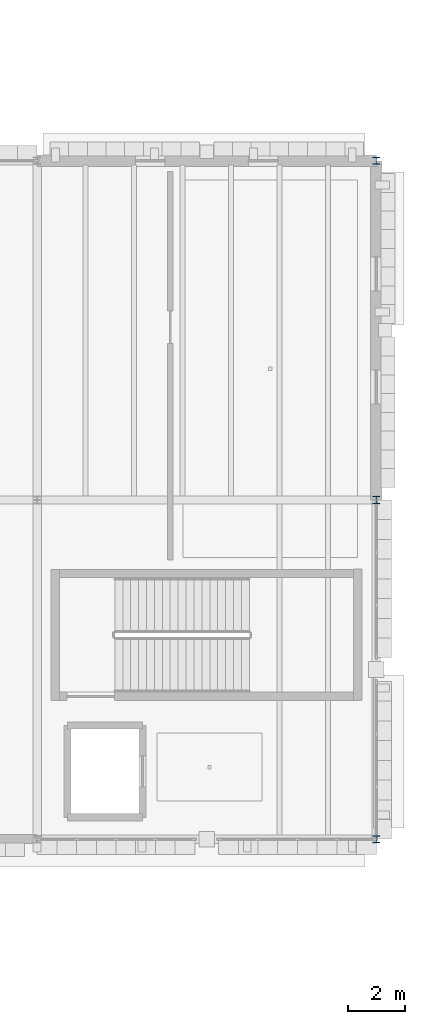
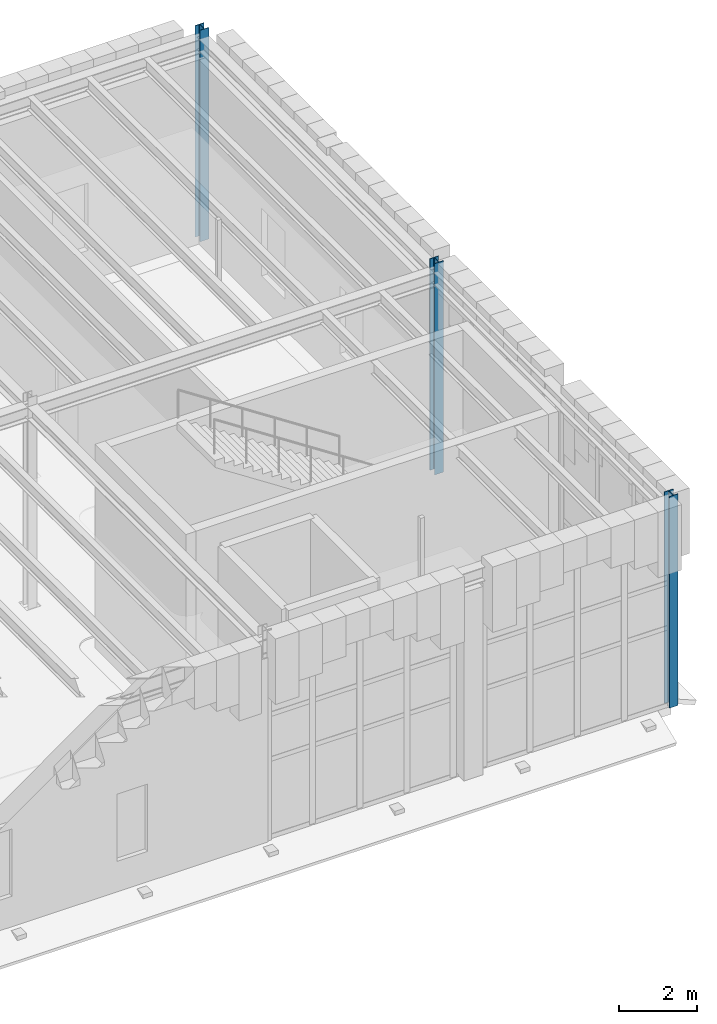
# One storey, part 10 of 62: 3 columns.
"""IFC4 building model written with IfcOpenShell, lengths in metres."""

from ifc_helpers import new_model, si_unit, direction, frame, origin, origin_2d, place, context, subcontext, project, spatial, i_section, extrude, material, material_profile, profile_set, type_object, element, save


model = new_model("IFC4")

# Units and contexts
model_context = context("Model", 3, precision=1e-05, world=origin(), true_north=direction((0.0, 1.0)))
body_context = subcontext(model_context, "Body", "Model", "MODEL_VIEW")
ifc_project = project(units=[si_unit("LENGTHUNIT", "METRE"), si_unit("AREAUNIT", "SQUARE_METRE"), si_unit("VOLUMEUNIT", "CUBIC_METRE"), si_unit("PLANEANGLEUNIT", "RADIAN"), si_unit("MASSUNIT", "GRAM", prefix="KILO")], contexts=[model_context])

# Site, building, storey
site_placement = place(None, origin())
site = spatial("IfcSite", under=ifc_project, at=site_placement, CompositionType="ELEMENT")
building_placement = place(site_placement, origin())
building = spatial("IfcBuilding", under=site, at=building_placement, Name="Zlatogorsky Bluff Art Gallery", CompositionType="ELEMENT")
storey_placement = place(building_placement, frame((0.0, 0.0, 16.800048828125)))
storey = spatial("IfcBuildingStorey", under=building, at=storey_placement, Name="L03", CompositionType="ELEMENT", Elevation=16.800048828125)

# Columns
ifc_material = material(Name="Steel S355", Category="steel")
ifc_material_profile = material_profile(ifc_material, i_section(OverallWidth=0.260009765625, OverallDepth=0.260009765625, WebThickness=0.010009765625, FlangeThickness=0.017578125, FilletRadius=0.02392578125, at=origin_2d()), Name="HEB 260")
ifc_profile_set = profile_set([ifc_material_profile], Name="Steel S355")
column_type = type_object("IfcColumnType", Name="Column CL-08 HEB 260", PredefinedType="COLUMN", material=ifc_profile_set)
for number, where, z_axis, x_axis, name in (
    (1, (156.0, 84.0, 0.0), (0.0, 0.0, 1.0), (1.0, 0.0, 0.0), "Column CL-08 L03 P9"),
    (2, (156.0, 96.0, 0.0), (0.0, 0.0, 1.0), (1.0, 0.0, 0.0), "Column CL-08 L03 P10"),
    (3, (156.0, 108.0, 0.0), (0.0, 0.0, 1.0), (1.0, 0.0, 0.0), "Column CL-08 L03 P11"),
):
    element("IfcColumn", number, at=place(storey_placement, frame(where, z_axis=z_axis, x_axis=x_axis)), inside=storey, type_object=column_type, Name=name, PredefinedType="COLUMN", context=body_context, shape_type="SweptSolid", body=[
        extrude(i_section(OverallWidth=0.260009765625, OverallDepth=0.260009765625, WebThickness=0.010009765625, FlangeThickness=0.017578125, FilletRadius=0.02392578125, at=origin_2d()), origin(), (0.0, 0.0, 1.0), 6.599853515625),
    ])

save(model, "model.ifc")
